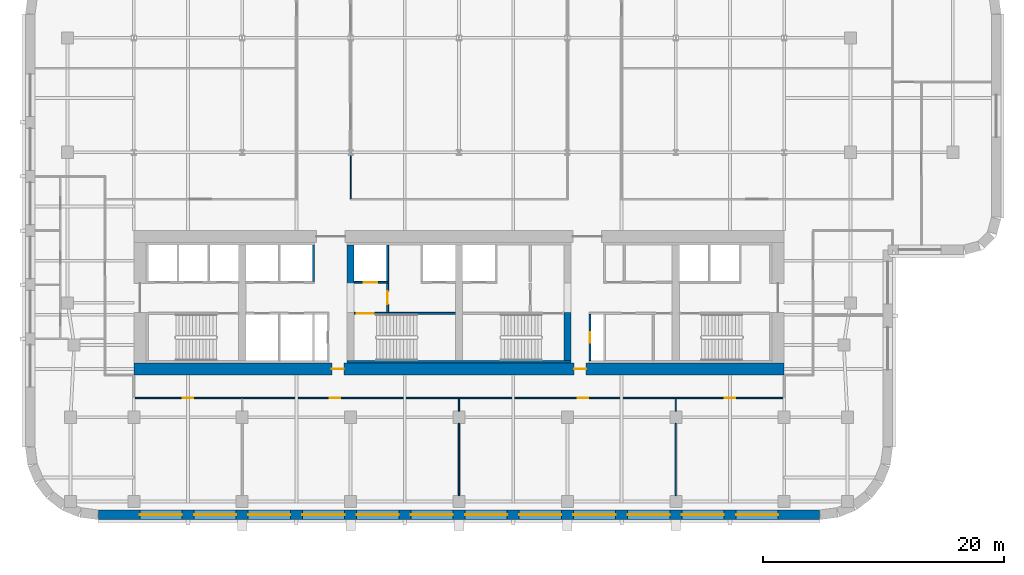
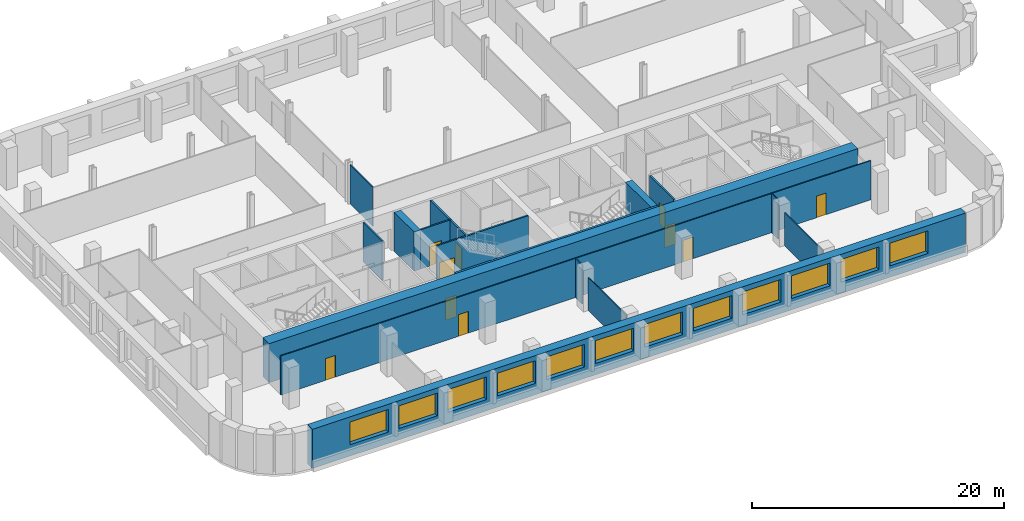
# One storey, part 4 of 9: 17 walls, 12 windows, 10 doors, 22 openings.
"""IFC4 building model written with IfcOpenShell, lengths in metres."""

import ifcopenshell
import ifcopenshell.guid

model = None  # the IFC model being written
_history = None  # IfcOwnerHistory: only IFC2X3 demands one
_inside = {}  # id of a spatial element -> (the spatial element, [elements in it])
_under = {}  # id of a project, library or spatial element -> (it, [spatial elements below it])
_declared = {}  # id of a project -> (the project, [libraries it declares])
_typed = {}  # id of a type object -> (the type object, [elements of that type])
_made_of = {}  # id of a material, layer set ... -> (it, [elements and type objects made of it])


def new_model(schema):
    """Start an empty IFC model of exactly this schema.

    Asked for "IFC4X3", IfcOpenShell would pick the latest addendum, in which some entities
    have other attributes; the version numbers below select the first issue.
    IFC2X3 requires an IfcOwnerHistory on every rooted entity: one is made here for all.
    """
    global model, _history
    if schema == "IFC4X3":
        model = ifcopenshell.file(schema_version=(4, 3, 0, 0))
    else:
        model = ifcopenshell.file(schema=schema)
    _inside.clear()
    _under.clear()
    _declared.clear()
    _typed.clear()
    _made_of.clear()
    _history = None
    if model.schema == "IFC2X3":
        org = make("IfcOrganization", Name="unknown")
        user = make(
            "IfcPersonAndOrganization",
            ThePerson=make("IfcPerson", FamilyName="unknown"),
            TheOrganization=org,
        )
        app = make(
            "IfcApplication",
            ApplicationDeveloper=org,
            Version="unknown",
            ApplicationFullName="unknown",
            ApplicationIdentifier="unknown",
        )
        _history = make(
            "IfcOwnerHistory",
            OwningUser=user,
            OwningApplication=app,
            ChangeAction="ADDED",
            CreationDate=0,
        )
    return model


def make(cls, **values):
    """One entity of the class cls with the attributes given. An attribute that is None is left unset."""
    return model.create_entity(
        cls, **{name: value for name, value in values.items() if value is not None}
    )


def rooted(cls, **values):
    """An entity with a GlobalId (a new one), such as an element, a storey or a relation."""
    return make(cls, GlobalId=ifcopenshell.guid.new(), OwnerHistory=_history, **values)


def si_unit(unit_type, name, prefix=None):
    """IfcSIUnit, for example si_unit("LENGTHUNIT", "METRE", prefix="MILLI")."""
    return make("IfcSIUnit", UnitType=unit_type, Prefix=prefix, Name=name)


def assignment(units):
    """IfcUnitAssignment: the units of a project."""
    return None if units is None else make("IfcUnitAssignment", Units=units)


def point(xyz):
    """IfcCartesianPoint."""
    return None if xyz is None else make("IfcCartesianPoint", Coordinates=xyz)


def direction(xyz):
    """IfcDirection."""
    return None if xyz is None else make("IfcDirection", DirectionRatios=xyz)


def frame(location, z_axis=None, x_axis=None):
    """IfcAxis2Placement3D, a coordinate frame: its origin and axes. An axis left out is left unset."""
    return make(
        "IfcAxis2Placement3D",
        Location=point(location),
        Axis=direction(z_axis),
        RefDirection=direction(x_axis),
    )


def frame_2d(location, x_axis=None):
    """IfcAxis2Placement2D, a coordinate frame in the plane: its origin and x axis."""
    return make(
        "IfcAxis2Placement2D", Location=point(location), RefDirection=direction(x_axis)
    )


def origin():
    """The frame at (0, 0, 0) with its axes left unset."""
    return frame((0.0, 0.0, 0.0))


def place(relative_to, where):
    """IfcLocalPlacement: puts the frame where relative to a parent placement (None: the world)."""
    return make(
        "IfcLocalPlacement", PlacementRelTo=relative_to, RelativePlacement=where
    )


def context(
    kind, dimensions, precision=None, world=None, true_north=None, identifier=None
):
    """IfcGeometricRepresentationContext, for example the 3D "Model" context."""
    return make(
        "IfcGeometricRepresentationContext",
        ContextIdentifier=identifier,
        ContextType=kind,
        CoordinateSpaceDimension=dimensions,
        Precision=precision,
        WorldCoordinateSystem=world,
        TrueNorth=true_north,
    )


def subcontext(parent, identifier, kind, view, scale=None):
    """IfcGeometricRepresentationSubContext, for example "Body" below "Model"."""
    return make(
        "IfcGeometricRepresentationSubContext",
        ContextIdentifier=identifier,
        ContextType=kind,
        ParentContext=parent,
        TargetScale=scale,
        TargetView=view,
    )


def project(units=None, contexts=None):
    """IfcProject with its units and contexts."""
    return rooted(
        "IfcProject",
        Name="project",
        RepresentationContexts=contexts,
        UnitsInContext=assignment(units),
    )


def spatial(cls, under=None, at=None, **own):
    """A site, building, storey or space (cls), placed at a placement, below another one or the project."""
    s = rooted(cls, ObjectPlacement=at, **own)
    if under is not None:
        _under.setdefault(under.id(), (under, []))[1].append(s)
    return s


def profile(cls, at=None, kind="AREA", **sizes):
    """A parametric profile (cls). Its sizes go by their IFC names, for example OverallWidth=200.0."""
    return make(cls, ProfileType=kind, Position=at, **sizes)


def rectangle(**sizes):
    """IfcRectangleProfileDef."""
    return profile("IfcRectangleProfileDef", **sizes)


def extrude(swept, where, along, depth):
    """IfcExtrudedAreaSolid: the profile swept, set in the frame where, extruded along a direction by depth."""
    return make(
        "IfcExtrudedAreaSolid",
        SweptArea=swept,
        Position=where,
        ExtrudedDirection=direction(along),
        Depth=depth,
    )


def shape(context_of_items, identifier, shape_type, items):
    """IfcShapeRepresentation: the items that make up one representation, for example the "Body"."""
    return make(
        "IfcShapeRepresentation",
        ContextOfItems=context_of_items,
        RepresentationIdentifier=identifier,
        RepresentationType=shape_type,
        Items=items,
    )


def material(Name=None, Category=None):
    """IfcMaterial."""
    return make("IfcMaterial", Name=Name, Category=Category)


def layer(
    of_material, thickness, ventilated=None, Name=None, Category=None, Priority=None
):
    """IfcMaterialLayer: one layer of a wall or slab, of a material (None: an air gap)."""
    return make(
        "IfcMaterialLayer",
        Material=of_material,
        LayerThickness=thickness,
        IsVentilated=ventilated,
        Name=Name,
        Category=Category,
        Priority=Priority,
    )


def layer_set(layers, Name=None):
    """IfcMaterialLayerSet."""
    return make("IfcMaterialLayerSet", MaterialLayers=layers, LayerSetName=Name)


def made_of(thing, what):
    """Note that an element or type object is made of a material, layer set ...; save() writes the relation."""
    if what is not None:
        _made_of.setdefault(what.id(), (what, []))[1].append(thing)
    return thing


def type_object(cls, material=None, **own):
    """A type object (cls), such as IfcWallType, which elements share."""
    return made_of(rooted(cls, **own), material)


def element(
    cls,
    number,
    at=None,
    inside=None,
    cuts=None,
    type_object=None,
    material=None,
    context=None,
    identifier="Body",
    shape_type=None,
    held_by="IfcProductDefinitionShape",
    body=None,
    shapes=None,
    **own,
):
    """One element of the class cls, such as IfcWall. Its Tag is "e" and its number.

    at: its placement. inside: the storey or other place that contains it. cuts: it is an
    opening in that element (IfcRelVoidsElement). A single representation is given by context,
    identifier, shape_type and body (its items); several are given by shapes. held_by: the class
    of the entity that holds the representations. save() writes the other relations.
    """
    e = rooted(cls, Tag="e%d" % number, ObjectPlacement=at, **own)
    if body is not None:
        shapes = [shape(context, identifier, shape_type, body)]
    if shapes is not None:
        e.Representation = make(held_by, Representations=shapes)
    if inside is not None:
        _inside.setdefault(inside.id(), (inside, []))[1].append(e)
    if cuts is not None:
        rooted(
            "IfcRelVoidsElement", RelatingBuildingElement=cuts, RelatedOpeningElement=e
        )
    if type_object is not None:
        _typed.setdefault(type_object.id(), (type_object, []))[1].append(e)
    return made_of(e, material)


def fill(opening, filler):
    """IfcRelFillsElement: the door or window that sits in an opening."""
    return rooted(
        "IfcRelFillsElement",
        RelatingOpeningElement=opening,
        RelatedBuildingElement=filler,
    )


def aggregate(whole, parts):
    """IfcRelAggregates: a whole, such as a stair, and the parts it consists of."""
    return rooted("IfcRelAggregates", RelatingObject=whole, RelatedObjects=parts)


def save(model, path):
    """Write the relations noted so far, then the file.

    IfcRelAggregates (storeys below a building ...), IfcRelContainedInSpatialStructure (elements
    in a storey), IfcRelDefinesByType, IfcRelAssociatesMaterial and IfcRelDeclares: one each for
    every whole, place, type object, material and project.
    """
    for whole, parts in _under.values():
        aggregate(whole, parts)
    for where, things in _inside.values():
        rooted(
            "IfcRelContainedInSpatialStructure",
            RelatedElements=things,
            RelatingStructure=where,
        )
    for kind, things in _typed.values():
        rooted("IfcRelDefinesByType", RelatedObjects=things, RelatingType=kind)
    for what, things in _made_of.values():
        rooted("IfcRelAssociatesMaterial", RelatedObjects=things, RelatingMaterial=what)
    for by, libraries in _declared.values():
        rooted("IfcRelDeclares", RelatingContext=by, RelatedDefinitions=libraries)
    model.write(path)


model = new_model("IFC4")

# Units and contexts
model_context = context("Model", 3, precision=1e-05, world=origin(), true_north=direction((0.0, 1.0)))
body_context = subcontext(model_context, "Body", "Model", "MODEL_VIEW")
ifc_project = project(units=[si_unit("LENGTHUNIT", "METRE"), si_unit("AREAUNIT", "SQUARE_METRE"), si_unit("VOLUMEUNIT", "CUBIC_METRE"), si_unit("PLANEANGLEUNIT", "RADIAN"), si_unit("MASSUNIT", "GRAM", prefix="KILO")], contexts=[model_context])

# Site, building, storey
site_placement = place(None, origin())
site = spatial("IfcSite", under=ifc_project, at=site_placement, CompositionType="ELEMENT")
building_placement = place(site_placement, origin())
building = spatial("IfcBuilding", under=site, at=building_placement, Name="Zellij Exchange Tower", CompositionType="ELEMENT")
storey_placement = place(building_placement, frame((0.0, 0.0, 112.5)))
storey = spatial("IfcBuildingStorey", under=building, at=storey_placement, Name="L24", CompositionType="ELEMENT", Elevation=112.5)

# Walls
ifc_material_1 = material(Name="Concrete C70/85", Category="concrete")
ifc_layer_1 = layer(ifc_material_1, 0.60009765625)
ifc_layer_set_1 = layer_set([ifc_layer_1], Name="Concrete C70/85")
wall_type_1 = type_object("IfcWallType", Name="CORE-CW 600 C70/85", PredefinedType="SHEAR", material=ifc_layer_set_1)
wall_1_placement = place(storey_placement, frame((-9.0, -6.375, 0.0), z_axis=(0.0, 0.0, 1.0), x_axis=(0.0, 1.0, 0.0)))
element("IfcWall", 1, at=wall_1_placement, inside=storey, type_object=wall_type_1, Name="Core cross wall pier x -9 b L24", PredefinedType="SHEAR", context=body_context, shape_type="SweptSolid", body=[
    extrude(rectangle(XDim=3.175048828125, YDim=0.60009765625, at=frame_2d((1.58740234375, 0.0))), origin(), (0.0, 0.0, 1.0), 3.800048828125),
])
wall_2_placement = place(storey_placement, frame((9.0, -12.800048828125, 0.0), z_axis=(0.0, 0.0, 1.0), x_axis=(0.0, 1.0, 0.0)))
element("IfcWall", 2, at=wall_2_placement, inside=storey, type_object=wall_type_1, Name="Core cross wall pier x 9 a L24", PredefinedType="SHEAR", context=body_context, shape_type="SweptSolid", body=[
    extrude(rectangle(XDim=4.0, YDim=0.60009765625, at=frame_2d((2.0, 0.0))), origin(), (0.0, 0.0, 1.0), 3.800048828125),
])
ifc_material_2 = material(Name="Concrete C30/37", Category="concrete")
ifc_layer_2 = layer(ifc_material_2, 0.199951171875)
ifc_layer_set_2 = layer_set([ifc_layer_2], Name="Concrete C30/37")
wall_type_2 = type_object("IfcWallType", Name="CORE-LW 200 C30/37", PredefinedType="SHEAR", material=ifc_layer_set_2)
wall_3_placement = place(storey_placement, frame((-9.300048828125, -12.89990234375, 0.0), z_axis=(0.0, 0.0, 1.0), x_axis=(1.0, 0.0, 0.0)))
element("IfcWall", 3, at=wall_3_placement, inside=storey, type_object=wall_type_2, Name="Core wall lining rear.1 L24", PredefinedType="SHEAR", context=body_context, shape_type="SweptSolid", body=[
    extrude(rectangle(XDim=18.60009765625, YDim=0.199951171875, at=frame_2d((9.300048828125, 0.0))), origin(), (0.0, 0.0, 1.0), 3.800048828125),
])

# Wall, opening, door
ifc_material_3 = material(Name="Gypsum shaft wall system")
ifc_layer_3 = layer(ifc_material_3, 0.14990234375)
ifc_layer_set_3 = layer_set([ifc_layer_3], Name="Gypsum shaft wall system")
wall_type_3 = type_object("IfcWallType", Name="CORE-PW 150 Firefighting lobby wall", PredefinedType="PARTITIONING", material=ifc_layer_set_3)
wall_4_placement = place(storey_placement, frame((-5.925048828125, -8.800048828125, 0.0), z_axis=(0.0, 0.0, 1.0), x_axis=(0.0, 1.0, 0.0)))
wall_4 = element("IfcWall", 4, at=wall_4_placement, inside=storey, type_object=wall_type_3, Name="Firefighting lobby wall L24", PredefinedType="PARTITIONING", context=body_context, shape_type="SweptSolid", body=[
    extrude(rectangle(XDim=2.425048828125, YDim=0.14990234375, at=frame_2d((1.21240234375, 0.0))), origin(), (0.0, 0.0, 1.0), 3.800048828125),
])
opening_1_placement = place(wall_4_placement, frame((0.662109375, 0.0, 0.0)))
opening_1 = element("IfcOpeningElement", 5, at=opening_1_placement, cuts=wall_4, Name="Opening CA-14.15", PredefinedType="OPENING", context=body_context, shape_type="SweptSolid", body=[
    extrude(rectangle(XDim=1.10009765625, YDim=2.10009765625, at=frame_2d((0.550048828125, 1.050048828125))), frame((0.0, 0.0869140625, 0.0), z_axis=(0.0, -1.0, 0.0), x_axis=(1.0, 0.0, 0.0)), (0.0, 0.0, 1.0), 0.173828125),
])
ifc_material_4 = material(Name="Hollow metal fire door")
door_type_1 = type_object("IfcDoorType", Name="CORE-D F Firefighting lobby door 1100x2100 1 HR", OperationType="NOTDEFINED", PredefinedType="DOOR", material=ifc_material_4)
door_1_placement = place(opening_1_placement, origin())
door_1 = element("IfcDoor", 6, at=door_1_placement, inside=storey, type_object=door_type_1, Name="Firefighting lobby door CA-14.15", OperationType="SINGLE_SWING_LEFT", OverallHeight=2.10009765625, OverallWidth=1.10009765625, PredefinedType="DOOR", context=body_context, shape_type="SweptSolid", body=[
    extrude(rectangle(XDim=1.10009765625, YDim=2.10009765625, at=frame_2d((0.550048828125, 1.050048828125))), frame((0.0, 0.02490234375, 0.0), z_axis=(0.0, -1.0, 0.0), x_axis=(1.0, 0.0, 0.0)), (0.0, 0.0, 1.0), 0.050048828125),
])
fill(opening_1, door_1)

ifc_material_5 = material(Name="Gypsum board partition")
ifc_layer_4 = layer(ifc_material_5, 0.14990234375)
ifc_layer_set_4 = layer_set([ifc_layer_4], Name="Gypsum board partition")
wall_type_4 = type_object("IfcWallType", Name="CORE-PW 150 Lift lobby wall", PredefinedType="PARTITIONING", material=ifc_layer_set_4)
wall_5_placement = place(storey_placement, frame((10.875, -12.800048828125, 0.0), z_axis=(0.0, 0.0, 1.0), x_axis=(0.0, 1.0, 0.0)))
wall_5 = element("IfcWall", 7, at=wall_5_placement, inside=storey, type_object=wall_type_4, Name="Lift lobby wall L24", PredefinedType="PARTITIONING", context=body_context, shape_type="SweptSolid", body=[
    extrude(rectangle(XDim=3.85009765625, YDim=0.14990234375, at=frame_2d((1.925048828125, 0.0))), origin(), (0.0, 0.0, 1.0), 3.800048828125),
])
opening_2_placement = place(wall_5_placement, frame((1.47509765625, 0.0, 0.0)))
opening_2 = element("IfcOpeningElement", 8, at=opening_2_placement, cuts=wall_5, Name="Opening CA-14.22", PredefinedType="OPENING", context=body_context, shape_type="SweptSolid", body=[
    extrude(rectangle(XDim=0.89990234375, YDim=2.10009765625, at=frame_2d((0.449951171875, 1.050048828125))), frame((0.0, 0.0869140625, 0.0), z_axis=(0.0, -1.0, 0.0), x_axis=(1.0, 0.0, 0.0)), (0.0, 0.0, 1.0), 0.173828125),
])
door_type_2 = type_object("IfcDoorType", Name="CORE-D RD Riser door 900x2100 1.5 HR", OperationType="NOTDEFINED", PredefinedType="DOOR", material=ifc_material_4)
door_2_placement = place(opening_2_placement, origin())
door_2 = element("IfcDoor", 9, at=door_2_placement, inside=storey, type_object=door_type_2, Name="Riser door CA-14.22", OperationType="SINGLE_SWING_LEFT", OverallHeight=2.10009765625, OverallWidth=0.89990234375, PredefinedType="DOOR", context=body_context, shape_type="SweptSolid", body=[
    extrude(rectangle(XDim=0.89990234375, YDim=2.10009765625, at=frame_2d((0.449951171875, 1.050048828125))), frame((0.0, 0.02490234375, 0.0), z_axis=(0.0, -1.0, 0.0), x_axis=(1.0, 0.0, 0.0)), (0.0, 0.0, 1.0), 0.050048828125),
])
fill(opening_2, door_2)

# Walls
ifc_layer_5 = layer(ifc_material_3, 0.14990234375)
ifc_layer_set_5 = layer_set([ifc_layer_5], Name="Gypsum shaft wall system")
wall_type_5 = type_object("IfcWallType", Name="CORE-PW 150 Lift shaft wall", PredefinedType="PARTITIONING", material=ifc_layer_set_5)
for number, where, z_axis, x_axis, name in (
    (10, (-12.074951171875, -6.22509765625, 0.0), (0.0, 0.0, 1.0), (0.0, 1.0, 0.0), "Lift shaft wall L24"),
    (11, (-5.925048828125, -6.22509765625, 0.0), (0.0, 0.0, 1.0), (0.0, 1.0, 0.0), "Lift shaft wall L24"),
):
    element("IfcWall", number, at=place(storey_placement, frame(where, z_axis=z_axis, x_axis=x_axis)), inside=storey, type_object=wall_type_5, Name=name, PredefinedType="PARTITIONING", context=body_context, shape_type="SweptSolid", body=[
        extrude(rectangle(XDim=3.025146484375, YDim=0.14990234375, at=frame_2d((1.5126953125, 0.0))), origin(), (0.0, 0.0, 1.0), 3.800048828125),
    ])

# Wall, opening, door
wall_6_placement = place(storey_placement, frame((-8.699951171875, -6.300048828125, 0.0), z_axis=(0.0, 0.0, 1.0), x_axis=(1.0, 0.0, 0.0)))
wall_6 = element("IfcWall", 12, at=wall_6_placement, inside=storey, type_object=wall_type_5, Name="Lift shaft wall L24", PredefinedType="PARTITIONING", context=body_context, shape_type="SweptSolid", body=[
    extrude(rectangle(XDim=2.849853515625, YDim=0.14990234375, at=frame_2d((1.4248046875, 0.0))), origin(), (0.0, 0.0, 1.0), 3.800048828125),
])
opening_3_placement = place(wall_6_placement, frame((0.800048828125, 0.0, 0.0)))
opening_3 = element("IfcOpeningElement", 13, at=opening_3_placement, cuts=wall_6, Name="Opening CA-14.14", PredefinedType="OPENING", context=body_context, shape_type="SweptSolid", body=[
    extrude(rectangle(XDim=1.10009765625, YDim=2.10009765625, at=frame_2d((0.550048828125, 1.050048828125))), frame((0.0, 0.0869140625, 0.0), z_axis=(0.0, -1.0, 0.0), x_axis=(1.0, 0.0, 0.0)), (0.0, 0.0, 1.0), 0.173828125),
])
door_type_3 = type_object("IfcDoorType", Name="CORE-D LD Lift landing door 1100x2100 1.5 HR", OperationType="NOTDEFINED", PredefinedType="DOOR", material=ifc_material_4)
door_3_placement = place(opening_3_placement, origin())
door_3 = element("IfcDoor", 14, at=door_3_placement, inside=storey, type_object=door_type_3, Name="Lift landing door CA-14.14", OperationType="SLIDING_TO_RIGHT", OverallHeight=2.10009765625, OverallWidth=1.10009765625, PredefinedType="DOOR", context=body_context, shape_type="SweptSolid", body=[
    extrude(rectangle(XDim=1.10009765625, YDim=2.10009765625, at=frame_2d((0.550048828125, 1.050048828125))), frame((0.0, 0.02490234375, 0.0), z_axis=(0.0, -1.0, 0.0), x_axis=(1.0, 0.0, 0.0)), (0.0, 0.0, 1.0), 0.050048828125),
])
fill(opening_3, door_3)

# Wall, openings, doors
ifc_layer_6 = layer(ifc_material_1, 1.0)
ifc_layer_set_6 = layer_set([ifc_layer_6], Name="Concrete C70/85")
wall_type_6 = type_object("IfcWallType", Name="CORE-SW 1000 C70/85", PredefinedType="SHEAR", material=ifc_layer_set_6)
wall_7_placement = place(storey_placement, frame((-27.0, -13.5, 0.0), z_axis=(0.0, 0.0, 1.0), x_axis=(1.0, 0.0, 0.0)))
wall_7 = element("IfcWall", 15, at=wall_7_placement, inside=storey, type_object=wall_type_6, Name="Core shear wall rear L24", PredefinedType="SHEAR", context=body_context, shape_type="SweptSolid", body=[
    extrude(rectangle(XDim=54.0, YDim=1.0, at=frame_2d((27.0, 0.0))), origin(), (0.0, 0.0, 1.0), 3.800048828125),
])
opening_4_placement = place(wall_7_placement, frame((16.449951171875, 0.0, 0.0)))
opening_4 = element("IfcOpeningElement", 16, at=opening_4_placement, cuts=wall_7, Name="Opening CA-14.12", PredefinedType="OPENING", context=body_context, shape_type="SweptSolid", body=[
    extrude(rectangle(XDim=1.0, YDim=2.10009765625, at=frame_2d((0.5, 1.050048828125))), frame((0.0, 0.511962890625, 0.0), z_axis=(0.0, -1.0, 0.0), x_axis=(1.0, 0.0, 0.0)), (0.0, 0.0, 1.0), 1.02392578125),
])
opening_5_placement = place(wall_7_placement, frame((36.550048828125, 0.0, 0.0)))
opening_5 = element("IfcOpeningElement", 17, at=opening_5_placement, cuts=wall_7, Name="Opening CA-14.20", PredefinedType="OPENING", context=body_context, shape_type="SweptSolid", body=[
    extrude(rectangle(XDim=1.0, YDim=2.10009765625, at=frame_2d((0.5, 1.050048828125))), frame((0.0, 0.511962890625, 0.0), z_axis=(0.0, -1.0, 0.0), x_axis=(1.0, 0.0, 0.0)), (0.0, 0.0, 1.0), 1.02392578125),
])
door_type_4 = type_object("IfcDoorType", Name="CORE-D CR Core rear door 1000x2100 20 MIN", OperationType="NOTDEFINED", PredefinedType="DOOR", material=ifc_material_4)
door_4_placement = place(opening_4_placement, origin())
door_4 = element("IfcDoor", 18, at=door_4_placement, inside=storey, type_object=door_type_4, Name="Core rear door CA-14.12", OperationType="SINGLE_SWING_RIGHT", OverallHeight=2.10009765625, OverallWidth=1.0, PredefinedType="DOOR", context=body_context, shape_type="SweptSolid", body=[
    extrude(rectangle(XDim=1.0, YDim=2.10009765625, at=frame_2d((0.5, 1.050048828125))), frame((0.0, 0.02490234375, 0.0), z_axis=(0.0, -1.0, 0.0), x_axis=(1.0, 0.0, 0.0)), (0.0, 0.0, 1.0), 0.050048828125),
])
fill(opening_4, door_4)
door_5_placement = place(opening_5_placement, origin())
door_5 = element("IfcDoor", 19, at=door_5_placement, inside=storey, type_object=door_type_4, Name="Core rear door CA-14.20", OperationType="SINGLE_SWING_LEFT", OverallHeight=2.10009765625, OverallWidth=1.0, PredefinedType="DOOR", context=body_context, shape_type="SweptSolid", body=[
    extrude(rectangle(XDim=1.0, YDim=2.10009765625, at=frame_2d((0.5, 1.050048828125))), frame((0.0, 0.02490234375, 0.0), z_axis=(0.0, -1.0, 0.0), x_axis=(1.0, 0.0, 0.0)), (0.0, 0.0, 1.0), 0.050048828125),
])
fill(opening_5, door_5)

# Wall, opening, door
ifc_layer_7 = layer(ifc_material_1, 0.14990234375)
ifc_layer_set_7 = layer_set([ifc_layer_7], Name="Concrete C70/85")
wall_type_7 = type_object("IfcWallType", Name="CORE-SWS 150 C70/85", PredefinedType="SHEAR", material=ifc_layer_set_7)
wall_8_placement = place(storey_placement, frame((-8.699951171875, -8.875, 0.0), z_axis=(0.0, 0.0, 1.0), x_axis=(1.0, 0.0, 0.0)))
wall_8 = element("IfcWall", 20, at=wall_8_placement, inside=storey, type_object=wall_type_7, Name="Stair enclosure wall L24", PredefinedType="SHEAR", context=body_context, shape_type="SweptSolid", body=[
    extrude(rectangle(XDim=8.39990234375, YDim=0.14990234375, at=frame_2d((4.199951171875, 0.0))), origin(), (0.0, 0.0, 1.0), 3.800048828125),
])
opening_6_placement = place(wall_8_placement, frame((0.22509765625, 0.0, 0.0)))
opening_6 = element("IfcOpeningElement", 21, at=opening_6_placement, cuts=wall_8, Name="Opening CA-14.13", PredefinedType="OPENING", context=body_context, shape_type="SweptSolid", body=[
    extrude(rectangle(XDim=1.39990234375, YDim=2.10009765625, at=frame_2d((0.699951171875, 1.050048828125))), frame((0.0, 0.0869140625, 0.0), z_axis=(0.0, -1.0, 0.0), x_axis=(1.0, 0.0, 0.0)), (0.0, 0.0, 1.0), 0.173828125),
])
door_type_5 = type_object("IfcDoorType", Name="CORE-D SD Stair door 1400x2100 1.5 HR", OperationType="NOTDEFINED", PredefinedType="DOOR", material=ifc_material_4)
door_6_placement = place(opening_6_placement, origin())
door_6 = element("IfcDoor", 22, at=door_6_placement, inside=storey, type_object=door_type_5, Name="Stair door CA-14.13", OperationType="DOUBLE_DOOR_SINGLE_SWING", OverallHeight=2.10009765625, OverallWidth=1.39990234375, PredefinedType="DOOR", context=body_context, shape_type="SweptSolid", body=[
    extrude(rectangle(XDim=1.39990234375, YDim=2.10009765625, at=frame_2d((0.699951171875, 1.050048828125))), frame((0.0, 0.02490234375, 0.0), z_axis=(0.0, -1.0, 0.0), x_axis=(1.0, 0.0, 0.0)), (0.0, 0.0, 1.0), 0.050048828125),
])
fill(opening_6, door_6)

# Wall, openings, windows
ifc_material_6 = material(Name="Precast concrete C40/50", Category="concrete")
ifc_layer_8 = layer(ifc_material_6, 0.800048828125)
ifc_layer_set_8 = layer_set([ifc_layer_8], Name="Precast concrete C40/50")
wall_type_8 = type_object("IfcWallType", Name="ENV-EW1 Precast stone-piered wall 800", PredefinedType="SOLIDWALL", material=ifc_layer_set_8)
wall_9_placement = place(storey_placement, frame((-29.947509765625, -25.60009765625, 0.0), z_axis=(0.0, 0.0, 1.0), x_axis=(1.0, 0.0, 0.0)))
wall_9 = element("IfcWall", 23, at=wall_9_placement, inside=storey, type_object=wall_type_8, Name="fac.L24.00", PredefinedType="SOLIDWALL", context=body_context, shape_type="SweptSolid", body=[
    extrude(rectangle(XDim=59.89501953125, YDim=0.800048828125, at=frame_2d((29.947509765625, 0.0))), origin(), (0.0, 0.0, 1.0), 3.800048828125),
])
opening_7_placement = place(wall_9_placement, frame((3.447509765625, 0.0, 1.10009765625)))
opening_7 = element("IfcOpeningElement", 24, at=opening_7_placement, cuts=wall_9, Name="Opening FZ2.01", PredefinedType="OPENING", context=body_context, shape_type="SweptSolid", body=[
    extrude(rectangle(XDim=3.5, YDim=2.199951171875, at=frame_2d((1.75, 1.10009765625))), frame((0.0, 0.412109375, 0.0), z_axis=(0.0, -1.0, 0.0), x_axis=(1.0, 0.0, 0.0)), (0.0, 0.0, 1.0), 0.823974609375),
])
opening_8_placement = place(wall_9_placement, frame((7.947509765625, 0.0, 1.10009765625)))
opening_8 = element("IfcOpeningElement", 25, at=opening_8_placement, cuts=wall_9, Name="Opening FZ2.02", PredefinedType="OPENING", context=body_context, shape_type="SweptSolid", body=[
    extrude(rectangle(XDim=3.5, YDim=2.199951171875, at=frame_2d((1.75, 1.10009765625))), frame((0.0, 0.412109375, 0.0), z_axis=(0.0, -1.0, 0.0), x_axis=(1.0, 0.0, 0.0)), (0.0, 0.0, 1.0), 0.823974609375),
])
opening_9_placement = place(wall_9_placement, frame((12.447509765625, 0.0, 1.10009765625)))
opening_9 = element("IfcOpeningElement", 26, at=opening_9_placement, cuts=wall_9, Name="Opening FZ2.03", PredefinedType="OPENING", context=body_context, shape_type="SweptSolid", body=[
    extrude(rectangle(XDim=3.5, YDim=2.199951171875, at=frame_2d((1.75, 1.10009765625))), frame((0.0, 0.412109375, 0.0), z_axis=(0.0, -1.0, 0.0), x_axis=(1.0, 0.0, 0.0)), (0.0, 0.0, 1.0), 0.823974609375),
])
opening_10_placement = place(wall_9_placement, frame((16.947509765625, 0.0, 1.10009765625)))
opening_10 = element("IfcOpeningElement", 27, at=opening_10_placement, cuts=wall_9, Name="Opening FZ2.04", PredefinedType="OPENING", context=body_context, shape_type="SweptSolid", body=[
    extrude(rectangle(XDim=3.5, YDim=2.199951171875, at=frame_2d((1.75, 1.10009765625))), frame((0.0, 0.412109375, 0.0), z_axis=(0.0, -1.0, 0.0), x_axis=(1.0, 0.0, 0.0)), (0.0, 0.0, 1.0), 0.823974609375),
])
opening_11_placement = place(wall_9_placement, frame((21.447509765625, 0.0, 1.10009765625)))
opening_11 = element("IfcOpeningElement", 28, at=opening_11_placement, cuts=wall_9, Name="Opening FZ2.05", PredefinedType="OPENING", context=body_context, shape_type="SweptSolid", body=[
    extrude(rectangle(XDim=3.5, YDim=2.199951171875, at=frame_2d((1.75, 1.10009765625))), frame((0.0, 0.412109375, 0.0), z_axis=(0.0, -1.0, 0.0), x_axis=(1.0, 0.0, 0.0)), (0.0, 0.0, 1.0), 0.823974609375),
])
opening_12_placement = place(wall_9_placement, frame((25.947509765625, 0.0, 1.10009765625)))
opening_12 = element("IfcOpeningElement", 29, at=opening_12_placement, cuts=wall_9, Name="Opening FZ2.06", PredefinedType="OPENING", context=body_context, shape_type="SweptSolid", body=[
    extrude(rectangle(XDim=3.5, YDim=2.199951171875, at=frame_2d((1.75, 1.10009765625))), frame((0.0, 0.412109375, 0.0), z_axis=(0.0, -1.0, 0.0), x_axis=(1.0, 0.0, 0.0)), (0.0, 0.0, 1.0), 0.823974609375),
])
opening_13_placement = place(wall_9_placement, frame((30.447509765625, 0.0, 1.10009765625)))
opening_13 = element("IfcOpeningElement", 30, at=opening_13_placement, cuts=wall_9, Name="Opening FZ2.07", PredefinedType="OPENING", context=body_context, shape_type="SweptSolid", body=[
    extrude(rectangle(XDim=3.5, YDim=2.199951171875, at=frame_2d((1.75, 1.10009765625))), frame((0.0, 0.412109375, 0.0), z_axis=(0.0, -1.0, 0.0), x_axis=(1.0, 0.0, 0.0)), (0.0, 0.0, 1.0), 0.823974609375),
])
opening_14_placement = place(wall_9_placement, frame((34.947509765625, 0.0, 1.10009765625)))
opening_14 = element("IfcOpeningElement", 31, at=opening_14_placement, cuts=wall_9, Name="Opening FZ2.08", PredefinedType="OPENING", context=body_context, shape_type="SweptSolid", body=[
    extrude(rectangle(XDim=3.5, YDim=2.199951171875, at=frame_2d((1.75, 1.10009765625))), frame((0.0, 0.412109375, 0.0), z_axis=(0.0, -1.0, 0.0), x_axis=(1.0, 0.0, 0.0)), (0.0, 0.0, 1.0), 0.823974609375),
])
opening_15_placement = place(wall_9_placement, frame((39.447509765625, 0.0, 1.10009765625)))
opening_15 = element("IfcOpeningElement", 32, at=opening_15_placement, cuts=wall_9, Name="Opening FZ2.09", PredefinedType="OPENING", context=body_context, shape_type="SweptSolid", body=[
    extrude(rectangle(XDim=3.5, YDim=2.199951171875, at=frame_2d((1.75, 1.10009765625))), frame((0.0, 0.412109375, 0.0), z_axis=(0.0, -1.0, 0.0), x_axis=(1.0, 0.0, 0.0)), (0.0, 0.0, 1.0), 0.823974609375),
])
opening_16_placement = place(wall_9_placement, frame((43.947509765625, 0.0, 1.10009765625)))
opening_16 = element("IfcOpeningElement", 33, at=opening_16_placement, cuts=wall_9, Name="Opening FZ2.10", PredefinedType="OPENING", context=body_context, shape_type="SweptSolid", body=[
    extrude(rectangle(XDim=3.5, YDim=2.199951171875, at=frame_2d((1.75, 1.10009765625))), frame((0.0, 0.412109375, 0.0), z_axis=(0.0, -1.0, 0.0), x_axis=(1.0, 0.0, 0.0)), (0.0, 0.0, 1.0), 0.823974609375),
])
opening_17_placement = place(wall_9_placement, frame((48.447509765625, 0.0, 1.10009765625)))
opening_17 = element("IfcOpeningElement", 34, at=opening_17_placement, cuts=wall_9, Name="Opening FZ2.11", PredefinedType="OPENING", context=body_context, shape_type="SweptSolid", body=[
    extrude(rectangle(XDim=3.5, YDim=2.199951171875, at=frame_2d((1.75, 1.10009765625))), frame((0.0, 0.412109375, 0.0), z_axis=(0.0, -1.0, 0.0), x_axis=(1.0, 0.0, 0.0)), (0.0, 0.0, 1.0), 0.823974609375),
])
opening_18_placement = place(wall_9_placement, frame((52.947509765625, 0.0, 1.10009765625)))
opening_18 = element("IfcOpeningElement", 35, at=opening_18_placement, cuts=wall_9, Name="Opening FZ2.12", PredefinedType="OPENING", context=body_context, shape_type="SweptSolid", body=[
    extrude(rectangle(XDim=3.5, YDim=2.199951171875, at=frame_2d((1.75, 1.10009765625))), frame((0.0, 0.412109375, 0.0), z_axis=(0.0, -1.0, 0.0), x_axis=(1.0, 0.0, 0.0)), (0.0, 0.0, 1.0), 0.823974609375),
])
ifc_material_7 = material(Name="Aluminium frame with insulating glass", Category="aluminium")
window_type = type_object("IfcWindowType", Name="ENV-W7 Window 3500x2200", PartitioningType="SINGLE_PANEL", PredefinedType="WINDOW", material=ifc_material_7)
window_1_placement = place(opening_7_placement, origin())
window_1 = element("IfcWindow", 36, at=window_1_placement, inside=storey, type_object=window_type, Name="Window FZ2.01", OverallHeight=2.199951171875, OverallWidth=3.5, PartitioningType="SINGLE_PANEL", PredefinedType="WINDOW", context=body_context, shape_type="SweptSolid", body=[
    extrude(rectangle(XDim=3.5, YDim=2.199951171875, at=frame_2d((1.75, 1.10009765625))), frame((0.0, 0.030029296875, 0.0), z_axis=(0.0, -1.0, 0.0), x_axis=(1.0, 0.0, 0.0)), (0.0, 0.0, 1.0), 0.06005859375),
])
fill(opening_7, window_1)
window_2_placement = place(opening_8_placement, origin())
window_2 = element("IfcWindow", 37, at=window_2_placement, inside=storey, type_object=window_type, Name="Window FZ2.02", OverallHeight=2.199951171875, OverallWidth=3.5, PartitioningType="SINGLE_PANEL", PredefinedType="WINDOW", context=body_context, shape_type="SweptSolid", body=[
    extrude(rectangle(XDim=3.5, YDim=2.199951171875, at=frame_2d((1.75, 1.10009765625))), frame((0.0, 0.030029296875, 0.0), z_axis=(0.0, -1.0, 0.0), x_axis=(1.0, 0.0, 0.0)), (0.0, 0.0, 1.0), 0.06005859375),
])
fill(opening_8, window_2)
window_3_placement = place(opening_9_placement, origin())
window_3 = element("IfcWindow", 38, at=window_3_placement, inside=storey, type_object=window_type, Name="Window FZ2.03", OverallHeight=2.199951171875, OverallWidth=3.5, PartitioningType="SINGLE_PANEL", PredefinedType="WINDOW", context=body_context, shape_type="SweptSolid", body=[
    extrude(rectangle(XDim=3.5, YDim=2.199951171875, at=frame_2d((1.75, 1.10009765625))), frame((0.0, 0.030029296875, 0.0), z_axis=(0.0, -1.0, 0.0), x_axis=(1.0, 0.0, 0.0)), (0.0, 0.0, 1.0), 0.06005859375),
])
fill(opening_9, window_3)
window_4_placement = place(opening_10_placement, origin())
window_4 = element("IfcWindow", 39, at=window_4_placement, inside=storey, type_object=window_type, Name="Window FZ2.04", OverallHeight=2.199951171875, OverallWidth=3.5, PartitioningType="SINGLE_PANEL", PredefinedType="WINDOW", context=body_context, shape_type="SweptSolid", body=[
    extrude(rectangle(XDim=3.5, YDim=2.199951171875, at=frame_2d((1.75, 1.10009765625))), frame((0.0, 0.030029296875, 0.0), z_axis=(0.0, -1.0, 0.0), x_axis=(1.0, 0.0, 0.0)), (0.0, 0.0, 1.0), 0.06005859375),
])
fill(opening_10, window_4)
window_5_placement = place(opening_11_placement, origin())
window_5 = element("IfcWindow", 40, at=window_5_placement, inside=storey, type_object=window_type, Name="Window FZ2.05", OverallHeight=2.199951171875, OverallWidth=3.5, PartitioningType="SINGLE_PANEL", PredefinedType="WINDOW", context=body_context, shape_type="SweptSolid", body=[
    extrude(rectangle(XDim=3.5, YDim=2.199951171875, at=frame_2d((1.75, 1.10009765625))), frame((0.0, 0.030029296875, 0.0), z_axis=(0.0, -1.0, 0.0), x_axis=(1.0, 0.0, 0.0)), (0.0, 0.0, 1.0), 0.06005859375),
])
fill(opening_11, window_5)
window_6_placement = place(opening_12_placement, origin())
window_6 = element("IfcWindow", 41, at=window_6_placement, inside=storey, type_object=window_type, Name="Window FZ2.06", OverallHeight=2.199951171875, OverallWidth=3.5, PartitioningType="SINGLE_PANEL", PredefinedType="WINDOW", context=body_context, shape_type="SweptSolid", body=[
    extrude(rectangle(XDim=3.5, YDim=2.199951171875, at=frame_2d((1.75, 1.10009765625))), frame((0.0, 0.030029296875, 0.0), z_axis=(0.0, -1.0, 0.0), x_axis=(1.0, 0.0, 0.0)), (0.0, 0.0, 1.0), 0.06005859375),
])
fill(opening_12, window_6)
window_7_placement = place(opening_13_placement, origin())
window_7 = element("IfcWindow", 42, at=window_7_placement, inside=storey, type_object=window_type, Name="Window FZ2.07", OverallHeight=2.199951171875, OverallWidth=3.5, PartitioningType="SINGLE_PANEL", PredefinedType="WINDOW", context=body_context, shape_type="SweptSolid", body=[
    extrude(rectangle(XDim=3.5, YDim=2.199951171875, at=frame_2d((1.75, 1.10009765625))), frame((0.0, 0.030029296875, 0.0), z_axis=(0.0, -1.0, 0.0), x_axis=(1.0, 0.0, 0.0)), (0.0, 0.0, 1.0), 0.06005859375),
])
fill(opening_13, window_7)
window_8_placement = place(opening_14_placement, origin())
window_8 = element("IfcWindow", 43, at=window_8_placement, inside=storey, type_object=window_type, Name="Window FZ2.08", OverallHeight=2.199951171875, OverallWidth=3.5, PartitioningType="SINGLE_PANEL", PredefinedType="WINDOW", context=body_context, shape_type="SweptSolid", body=[
    extrude(rectangle(XDim=3.5, YDim=2.199951171875, at=frame_2d((1.75, 1.10009765625))), frame((0.0, 0.030029296875, 0.0), z_axis=(0.0, -1.0, 0.0), x_axis=(1.0, 0.0, 0.0)), (0.0, 0.0, 1.0), 0.06005859375),
])
fill(opening_14, window_8)
window_9_placement = place(opening_15_placement, origin())
window_9 = element("IfcWindow", 44, at=window_9_placement, inside=storey, type_object=window_type, Name="Window FZ2.09", OverallHeight=2.199951171875, OverallWidth=3.5, PartitioningType="SINGLE_PANEL", PredefinedType="WINDOW", context=body_context, shape_type="SweptSolid", body=[
    extrude(rectangle(XDim=3.5, YDim=2.199951171875, at=frame_2d((1.75, 1.10009765625))), frame((0.0, 0.030029296875, 0.0), z_axis=(0.0, -1.0, 0.0), x_axis=(1.0, 0.0, 0.0)), (0.0, 0.0, 1.0), 0.06005859375),
])
fill(opening_15, window_9)
window_10_placement = place(opening_16_placement, origin())
window_10 = element("IfcWindow", 45, at=window_10_placement, inside=storey, type_object=window_type, Name="Window FZ2.10", OverallHeight=2.199951171875, OverallWidth=3.5, PartitioningType="SINGLE_PANEL", PredefinedType="WINDOW", context=body_context, shape_type="SweptSolid", body=[
    extrude(rectangle(XDim=3.5, YDim=2.199951171875, at=frame_2d((1.75, 1.10009765625))), frame((0.0, 0.030029296875, 0.0), z_axis=(0.0, -1.0, 0.0), x_axis=(1.0, 0.0, 0.0)), (0.0, 0.0, 1.0), 0.06005859375),
])
fill(opening_16, window_10)
window_11_placement = place(opening_17_placement, origin())
window_11 = element("IfcWindow", 46, at=window_11_placement, inside=storey, type_object=window_type, Name="Window FZ2.11", OverallHeight=2.199951171875, OverallWidth=3.5, PartitioningType="SINGLE_PANEL", PredefinedType="WINDOW", context=body_context, shape_type="SweptSolid", body=[
    extrude(rectangle(XDim=3.5, YDim=2.199951171875, at=frame_2d((1.75, 1.10009765625))), frame((0.0, 0.030029296875, 0.0), z_axis=(0.0, -1.0, 0.0), x_axis=(1.0, 0.0, 0.0)), (0.0, 0.0, 1.0), 0.06005859375),
])
fill(opening_17, window_11)
window_12_placement = place(opening_18_placement, origin())
window_12 = element("IfcWindow", 47, at=window_12_placement, inside=storey, type_object=window_type, Name="Window FZ2.12", OverallHeight=2.199951171875, OverallWidth=3.5, PartitioningType="SINGLE_PANEL", PredefinedType="WINDOW", context=body_context, shape_type="SweptSolid", body=[
    extrude(rectangle(XDim=3.5, YDim=2.199951171875, at=frame_2d((1.75, 1.10009765625))), frame((0.0, 0.030029296875, 0.0), z_axis=(0.0, -1.0, 0.0), x_axis=(1.0, 0.0, 0.0)), (0.0, 0.0, 1.0), 0.06005859375),
])
fill(opening_18, window_12)

# Walls
ifc_material_8 = material(Name="Gypsum board partition on steel studs", Category="steel")
ifc_layer_9 = layer(ifc_material_8, 0.10009765625)
ifc_layer_set_9 = layer_set([ifc_layer_9], Name="Gypsum board partition on steel studs")
wall_type_9 = type_object("IfcWallType", Name="FIT-PARTITION-100", PredefinedType="PARTITIONING", material=ifc_layer_set_9)
wall_10_placement = place(storey_placement, frame((0.0, -24.0, 0.0), z_axis=(0.0, 0.0, 1.0), x_axis=(0.0, 1.0, 0.0)))
element("IfcWall", 48, at=wall_10_placement, inside=storey, type_object=wall_type_9, Name="FIT-PARTITION-100 003", PredefinedType="PARTITIONING", context=body_context, shape_type="SweptSolid", body=[
    extrude(rectangle(XDim=6.0, YDim=0.10009765625, at=frame_2d((3.0, 0.0))), origin(), (0.0, 0.0, 1.0), 3.18798828125),
])
wall_11_placement = place(storey_placement, frame((0.0, -17.0, 0.0), z_axis=(0.0, 0.0, 1.0), x_axis=(0.0, 1.0, 0.0)))
element("IfcWall", 49, at=wall_11_placement, inside=storey, type_object=wall_type_9, Name="FIT-PARTITION-100 004", PredefinedType="PARTITIONING", context=body_context, shape_type="SweptSolid", body=[
    extrude(rectangle(XDim=1.050048828125, YDim=0.10009765625, at=frame_2d((0.52490234375, 0.0))), origin(), (0.0, 0.0, 1.0), 3.800048828125),
])
wall_12_placement = place(storey_placement, frame((18.0, -24.0, 0.0), z_axis=(0.0, 0.0, 1.0), x_axis=(0.0, 1.0, 0.0)))
element("IfcWall", 50, at=wall_12_placement, inside=storey, type_object=wall_type_9, Name="FIT-PARTITION-100 005", PredefinedType="PARTITIONING", context=body_context, shape_type="SweptSolid", body=[
    extrude(rectangle(XDim=6.0, YDim=0.10009765625, at=frame_2d((3.0, 0.0))), origin(), (0.0, 0.0, 1.0), 3.18798828125),
])
wall_13_placement = place(storey_placement, frame((18.0, -17.0, 0.0), z_axis=(0.0, 0.0, 1.0), x_axis=(0.0, 1.0, 0.0)))
element("IfcWall", 51, at=wall_13_placement, inside=storey, type_object=wall_type_9, Name="FIT-PARTITION-100 006", PredefinedType="PARTITIONING", context=body_context, shape_type="SweptSolid", body=[
    extrude(rectangle(XDim=1.050048828125, YDim=0.10009765625, at=frame_2d((0.52490234375, 0.0))), origin(), (0.0, 0.0, 1.0), 3.800048828125),
])

# Wall, openings, doors
wall_14_placement = place(storey_placement, frame((-27.050048828125, -15.89990234375, 0.0), z_axis=(0.0, 0.0, 1.0), x_axis=(1.0, 0.0, 0.0)))
wall_14 = element("IfcWall", 52, at=wall_14_placement, inside=storey, type_object=wall_type_9, Name="FIT-PARTITION-100 007", PredefinedType="PARTITIONING", context=body_context, shape_type="SweptSolid", body=[
    extrude(rectangle(XDim=54.10009765625, YDim=0.10009765625, at=frame_2d((27.050048828125, 0.0))), origin(), (0.0, 0.0, 1.0), 3.800048828125),
])
opening_19_placement = place(wall_14_placement, frame((4.10009765625, 0.0, 0.0)))
opening_19 = element("IfcOpeningElement", 53, at=opening_19_placement, cuts=wall_14, Name="Opening TE.01", PredefinedType="OPENING", context=body_context, shape_type="SweptSolid", body=[
    extrude(rectangle(XDim=0.89990234375, YDim=2.10009765625, at=frame_2d((0.449951171875, 1.050048828125))), frame((0.0, 0.06201171875, 0.0), z_axis=(0.0, -1.0, 0.0), x_axis=(1.0, 0.0, 0.0)), (0.0, 0.0, 1.0), 0.1240234375),
])
opening_20_placement = place(wall_14_placement, frame((16.300048828125, 0.0, 0.0)))
opening_20 = element("IfcOpeningElement", 54, at=opening_20_placement, cuts=wall_14, Name="Opening TE.02", PredefinedType="OPENING", context=body_context, shape_type="SweptSolid", body=[
    extrude(rectangle(XDim=0.89990234375, YDim=2.10009765625, at=frame_2d((0.449951171875, 1.050048828125))), frame((0.0, 0.06201171875, 0.0), z_axis=(0.0, -1.0, 0.0), x_axis=(1.0, 0.0, 0.0)), (0.0, 0.0, 1.0), 0.1240234375),
])
opening_21_placement = place(wall_14_placement, frame((36.89990234375, 0.0, 0.0)))
opening_21 = element("IfcOpeningElement", 55, at=opening_21_placement, cuts=wall_14, Name="Opening TE.03", PredefinedType="OPENING", context=body_context, shape_type="SweptSolid", body=[
    extrude(rectangle(XDim=0.89990234375, YDim=2.10009765625, at=frame_2d((0.449951171875, 1.050048828125))), frame((0.0, 0.06201171875, 0.0), z_axis=(0.0, -1.0, 0.0), x_axis=(1.0, 0.0, 0.0)), (0.0, 0.0, 1.0), 0.1240234375),
])
opening_22_placement = place(wall_14_placement, frame((49.10009765625, 0.0, 0.0)))
opening_22 = element("IfcOpeningElement", 56, at=opening_22_placement, cuts=wall_14, Name="Opening TE.04", PredefinedType="OPENING", context=body_context, shape_type="SweptSolid", body=[
    extrude(rectangle(XDim=0.89990234375, YDim=2.10009765625, at=frame_2d((0.449951171875, 1.050048828125))), frame((0.0, 0.06201171875, 0.0), z_axis=(0.0, -1.0, 0.0), x_axis=(1.0, 0.0, 0.0)), (0.0, 0.0, 1.0), 0.1240234375),
])
ifc_material_9 = material(Name="Timber door set", Category="wood")
door_type_6 = type_object("IfcDoorType", Name="FIT-D1-ROOM-900X2100", OperationType="SINGLE_SWING_LEFT", PredefinedType="DOOR", material=ifc_material_9)
door_7_placement = place(opening_19_placement, origin())
door_7 = element("IfcDoor", 57, at=door_7_placement, inside=storey, type_object=door_type_6, Name="Door TE.01", OperationType="SINGLE_SWING_LEFT", OverallHeight=2.10009765625, OverallWidth=0.89990234375, PredefinedType="DOOR", context=body_context, shape_type="SweptSolid", body=[
    extrude(rectangle(XDim=0.89990234375, YDim=2.10009765625, at=frame_2d((0.449951171875, 1.050048828125))), frame((0.0, 0.02490234375, 0.0), z_axis=(0.0, -1.0, 0.0), x_axis=(1.0, 0.0, 0.0)), (0.0, 0.0, 1.0), 0.050048828125),
])
fill(opening_19, door_7)
door_8_placement = place(opening_20_placement, origin())
door_8 = element("IfcDoor", 58, at=door_8_placement, inside=storey, type_object=door_type_6, Name="Door TE.02", OperationType="SINGLE_SWING_LEFT", OverallHeight=2.10009765625, OverallWidth=0.89990234375, PredefinedType="DOOR", context=body_context, shape_type="SweptSolid", body=[
    extrude(rectangle(XDim=0.89990234375, YDim=2.10009765625, at=frame_2d((0.449951171875, 1.050048828125))), frame((0.0, 0.02490234375, 0.0), z_axis=(0.0, -1.0, 0.0), x_axis=(1.0, 0.0, 0.0)), (0.0, 0.0, 1.0), 0.050048828125),
])
fill(opening_20, door_8)
door_9_placement = place(opening_21_placement, origin())
door_9 = element("IfcDoor", 59, at=door_9_placement, inside=storey, type_object=door_type_6, Name="Door TE.03", OperationType="SINGLE_SWING_RIGHT", OverallHeight=2.10009765625, OverallWidth=0.89990234375, PredefinedType="DOOR", context=body_context, shape_type="SweptSolid", body=[
    extrude(rectangle(XDim=0.89990234375, YDim=2.10009765625, at=frame_2d((0.449951171875, 1.050048828125))), frame((0.0, 0.02490234375, 0.0), z_axis=(0.0, -1.0, 0.0), x_axis=(1.0, 0.0, 0.0)), (0.0, 0.0, 1.0), 0.050048828125),
])
fill(opening_21, door_9)
door_10_placement = place(opening_22_placement, origin())
door_10 = element("IfcDoor", 60, at=door_10_placement, inside=storey, type_object=door_type_6, Name="Door TE.04", OperationType="SINGLE_SWING_LEFT", OverallHeight=2.10009765625, OverallWidth=0.89990234375, PredefinedType="DOOR", context=body_context, shape_type="SweptSolid", body=[
    extrude(rectangle(XDim=0.89990234375, YDim=2.10009765625, at=frame_2d((0.449951171875, 1.050048828125))), frame((0.0, 0.02490234375, 0.0), z_axis=(0.0, -1.0, 0.0), x_axis=(1.0, 0.0, 0.0)), (0.0, 0.0, 1.0), 0.050048828125),
])
fill(opening_22, door_10)

# Wall
wall_15_placement = place(storey_placement, frame((-9.0, 0.64990234375, 0.0), z_axis=(0.0, 0.0, 1.0), x_axis=(0.0, 1.0, 0.0)))
element("IfcWall", 61, at=wall_15_placement, inside=storey, type_object=wall_type_9, Name="FIT-PARTITION-100 027", PredefinedType="PARTITIONING", context=body_context, shape_type="SweptSolid", body=[
    extrude(rectangle(XDim=3.622802734375, YDim=0.10009765625, at=frame_2d((1.8115234375, 0.0))), origin(), (0.0, 0.0, 1.0), 3.800048828125),
])

save(model, "model.ifc")
